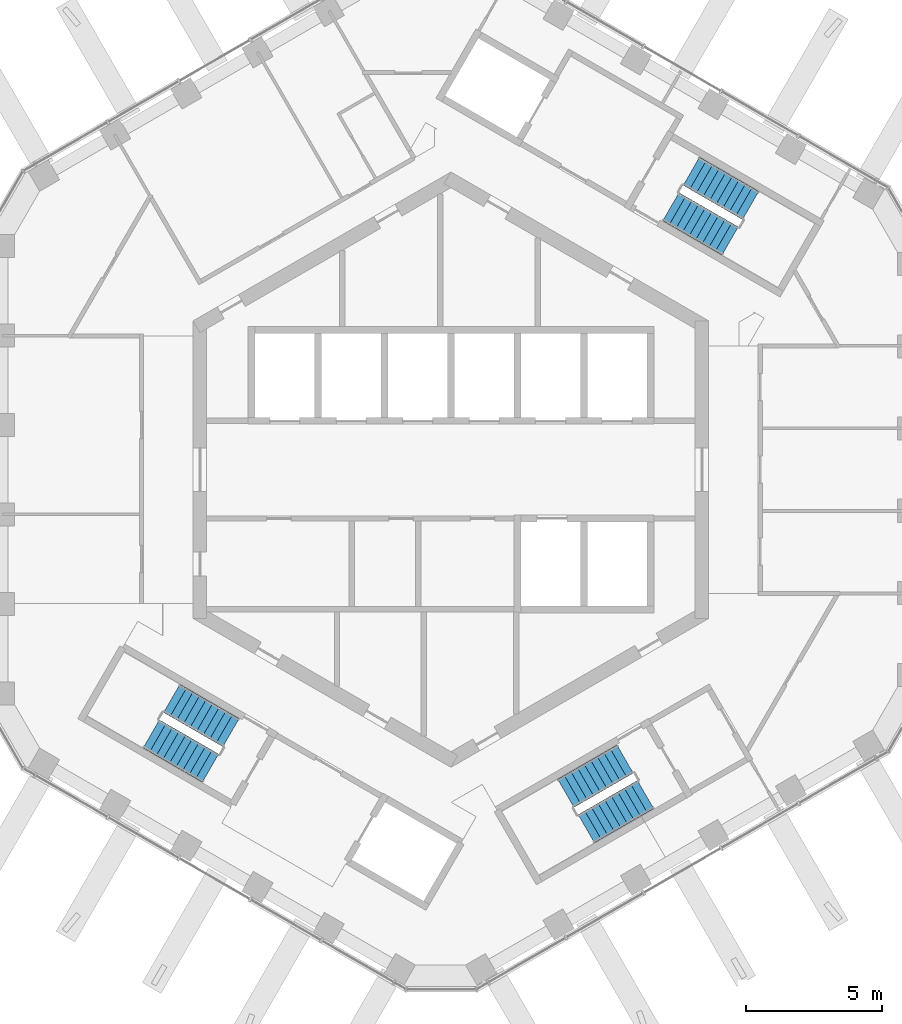
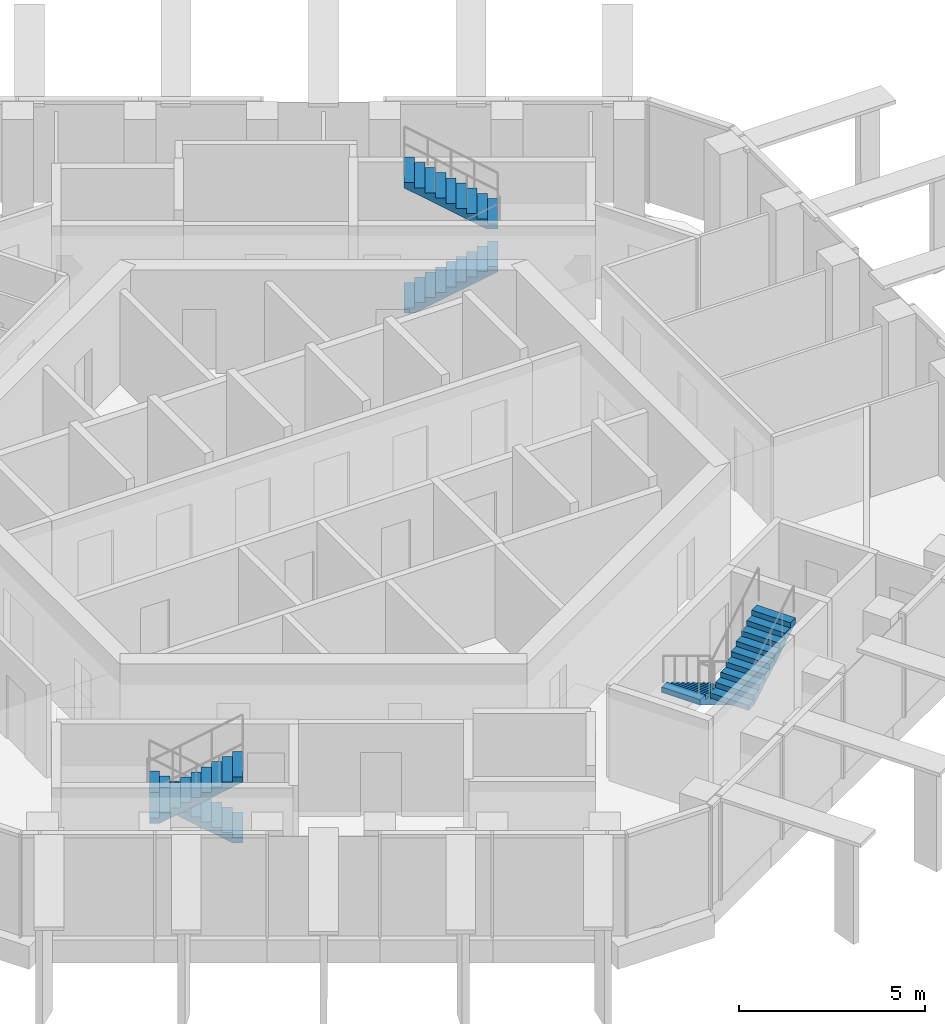
# One storey, part 15 of 18: 6 stair flights, 3 elements without a shape of their own.
"""IFC4 building model written with IfcOpenShell, lengths in metres."""

from ifc_helpers import new_model, si_unit, direction, frame, origin, place, context, subcontext, project, spatial, triangles, material, type_object, element, aggregate, save


model = new_model("IFC4")

# Units and contexts
model_context = context("Model", 3, precision=1e-05, world=origin(), true_north=direction((0.0, 1.0)))
body_context = subcontext(model_context, "Body", "Model", "MODEL_VIEW")
ifc_project = project(units=[si_unit("LENGTHUNIT", "METRE"), si_unit("AREAUNIT", "SQUARE_METRE"), si_unit("VOLUMEUNIT", "CUBIC_METRE"), si_unit("PLANEANGLEUNIT", "RADIAN"), si_unit("MASSUNIT", "GRAM", prefix="KILO")], contexts=[model_context])

# Site, building, storey
site_placement = place(None, origin())
site = spatial("IfcSite", under=ifc_project, at=site_placement, CompositionType="ELEMENT")
building_placement = place(site_placement, origin())
building = spatial("IfcBuilding", under=site, at=building_placement, Name="Ayvan Gate Tower", CompositionType="ELEMENT")
storey_placement = place(building_placement, frame((0.0, 0.0, 239.300048828125)))
storey = spatial("IfcBuildingStorey", under=building, at=storey_placement, Name="L64", CompositionType="ELEMENT", Elevation=239.300048828125)

# Stair, stair flights
ifc_material = material(Name="Concrete C40/50", Category="concrete")
stair_type = type_object("IfcStairType", Name="ST-EXIT", PredefinedType="HALF_TURN_STAIR", material=ifc_material)
stair_1_placement = place(storey_placement, origin())
stair_1 = element("IfcStair", 1, at=stair_1_placement, inside=storey, type_object=stair_type, Name="L64 Exit Stair S1", PredefinedType="HALF_TURN_STAIR")
stair_flight_type = type_object("IfcStairFlightType", Name="SFL-EXIT", PredefinedType="STRAIGHT", material=ifc_material)
stair_flight_1_placement = place(storey_placement, frame((8.106201171875, 9.690185546875, 0.0), z_axis=(0.0, 0.0, 1.0), x_axis=(0.866025403784, -0.5, 0.0)))
stair_flight_1 = element("IfcStairFlight", 2, at=stair_flight_1_placement, type_object=stair_flight_type, Name="STS1 flight 1", NumberOfRisers=10, NumberOfTreads=9, PredefinedType="STRAIGHT", RiserHeight=0.17, TreadLength=0.28, context=body_context, shape_type="Tessellation", body=[
    triangles([(0.288841, -0.599976, 0.0), (2.5205, -0.599976, 1.354936), (2.5205, -0.599976, 1.53), (2.24, -0.599976, 1.53), (2.24, -0.599976, 1.36), (1.96, -0.599976, 1.36), (1.96, -0.599976, 1.19), (1.68, -0.599976, 1.19), (1.68, -0.599976, 1.02), (1.4, -0.599976, 1.02), (1.4, -0.599976, 0.85), (1.12, -0.599976, 0.85), (1.12, -0.599976, 0.68), (0.84, -0.599976, 0.68), (0.84, -0.599976, 0.51), (0.56, -0.599976, 0.51), (0.56, -0.599976, 0.34), (0.28, -0.599976, 0.34), (0.28, -0.599976, 0.17), (-0.0005, -0.599976, 0.17), (-0.0005, -0.599976, 0.0), (0.288841, 0.0, 0.0), (2.5205, 0.0, 1.354936), (2.5205, 0.0, 1.53), (2.24, 0.0, 1.53), (2.24, 0.0, 1.36), (1.96, 0.0, 1.36), (1.96, 0.0, 1.19), (1.68, 0.0, 1.19), (1.68, 0.0, 1.02), (1.4, 0.0, 1.02), (1.4, 0.0, 0.85), (1.12, 0.0, 0.85), (1.12, 0.0, 0.68), (0.84, 0.0, 0.68), (0.84, 0.0, 0.51), (0.56, 0.0, 0.51), (0.56, 0.0, 0.34), (0.28, 0.0, 0.34), (0.28, 0.0, 0.17), (-0.0005, 0.0, 0.17), (-0.0005, 0.0, 0.0), (0.288841, 0.599976, 0.0), (2.5205, 0.599976, 1.354936), (2.5205, 0.599976, 1.53), (2.24, 0.599976, 1.53), (2.24, 0.599976, 1.36), (1.96, 0.599976, 1.36), (1.96, 0.599976, 1.19), (1.68, 0.599976, 1.19), (1.68, 0.599976, 1.02), (1.4, 0.599976, 1.02), (1.4, 0.599976, 0.85), (1.12, 0.599976, 0.85), (1.12, 0.599976, 0.68), (0.84, 0.599976, 0.68), (0.84, 0.599976, 0.51), (0.56, 0.599976, 0.51), (0.56, 0.599976, 0.34), (0.28, 0.599976, 0.34), (0.28, 0.599976, 0.17), (-0.0005, 0.599976, 0.17), (-0.0005, 0.599976, 0.0)], [[21, 1, 2], [63, 44, 43], [2, 3, 4], [44, 46, 45], [2, 4, 5], [44, 47, 46], [2, 5, 6], [44, 48, 47], [2, 6, 7], [44, 49, 48], [7, 8, 9], [49, 51, 50], [2, 7, 9], [44, 51, 49], [9, 10, 11], [51, 53, 52], [2, 9, 11], [44, 53, 51], [11, 12, 13], [53, 55, 54], [2, 11, 13], [44, 55, 53], [13, 14, 15], [55, 57, 56], [2, 13, 15], [44, 57, 55], [15, 16, 17], [57, 59, 58], [2, 15, 17], [44, 59, 57], [17, 18, 19], [59, 61, 60], [2, 17, 19], [44, 61, 59], [21, 2, 19], [63, 61, 44], [19, 20, 21], [61, 63, 62], [1, 22, 23], [1, 23, 2], [43, 23, 22], [43, 44, 23], [2, 23, 24], [2, 24, 3], [44, 24, 23], [44, 45, 24], [3, 24, 25], [3, 25, 4], [45, 25, 24], [45, 46, 25], [4, 25, 26], [4, 26, 5], [46, 26, 25], [46, 47, 26], [5, 26, 27], [5, 27, 6], [47, 27, 26], [47, 48, 27], [6, 27, 28], [6, 28, 7], [48, 28, 27], [48, 49, 28], [7, 28, 29], [7, 29, 8], [49, 29, 28], [49, 50, 29], [8, 29, 30], [8, 30, 9], [50, 30, 29], [50, 51, 30], [9, 30, 31], [9, 31, 10], [51, 31, 30], [51, 52, 31], [10, 31, 32], [10, 32, 11], [52, 32, 31], [52, 53, 32], [11, 32, 33], [11, 33, 12], [53, 33, 32], [53, 54, 33], [12, 33, 34], [12, 34, 13], [54, 34, 33], [54, 55, 34], [13, 34, 35], [13, 35, 14], [55, 35, 34], [55, 56, 35], [14, 35, 36], [14, 36, 15], [56, 36, 35], [56, 57, 36], [15, 36, 37], [15, 37, 16], [57, 37, 36], [57, 58, 37], [16, 37, 38], [16, 38, 17], [58, 38, 37], [58, 59, 38], [17, 38, 39], [17, 39, 18], [59, 39, 38], [59, 60, 39], [18, 39, 40], [18, 40, 19], [60, 40, 39], [60, 61, 40], [19, 40, 41], [19, 41, 20], [61, 41, 40], [61, 62, 41], [20, 41, 42], [20, 42, 21], [62, 42, 41], [62, 63, 42], [21, 42, 22], [21, 22, 1], [63, 22, 42], [63, 43, 22]], closed=True),
])
stair_flight_2_placement = place(storey_placement, frame((11.04345703125, 9.73779296875, 1.699951171875), z_axis=(0.0, 0.0, 1.0), x_axis=(-0.866025403784, 0.5, 0.0)))
stair_flight_2 = element("IfcStairFlight", 3, at=stair_flight_2_placement, type_object=stair_flight_type, Name="STS1 flight 2", NumberOfRisers=10, NumberOfTreads=9, PredefinedType="STRAIGHT", RiserHeight=0.17, TreadLength=0.28, context=body_context, shape_type="Tessellation", body=[
    triangles([(0.288841, -0.599976, 0.0), (2.5205, -0.599976, 1.354936), (2.5205, -0.599976, 1.53), (2.24, -0.599976, 1.53), (2.24, -0.599976, 1.36), (1.96, -0.599976, 1.36), (1.96, -0.599976, 1.19), (1.68, -0.599976, 1.19), (1.68, -0.599976, 1.02), (1.4, -0.599976, 1.02), (1.4, -0.599976, 0.85), (1.12, -0.599976, 0.85), (1.12, -0.599976, 0.68), (0.84, -0.599976, 0.68), (0.84, -0.599976, 0.51), (0.56, -0.599976, 0.51), (0.56, -0.599976, 0.34), (0.28, -0.599976, 0.34), (0.28, -0.599976, 0.17), (-0.0005, -0.599976, 0.17), (-0.0005, -0.599976, 0.0), (0.288841, 0.0, 0.0), (2.5205, 0.0, 1.354936), (2.5205, 0.0, 1.53), (2.24, 0.0, 1.53), (2.24, 0.0, 1.36), (1.96, 0.0, 1.36), (1.96, 0.0, 1.19), (1.68, 0.0, 1.19), (1.68, 0.0, 1.02), (1.4, 0.0, 1.02), (1.4, 0.0, 0.85), (1.12, 0.0, 0.85), (1.12, 0.0, 0.68), (0.84, 0.0, 0.68), (0.84, 0.0, 0.51), (0.56, 0.0, 0.51), (0.56, 0.0, 0.34), (0.28, 0.0, 0.34), (0.28, 0.0, 0.17), (-0.0005, 0.0, 0.17), (-0.0005, 0.0, 0.0), (0.288841, 0.599976, 0.0), (2.5205, 0.599976, 1.354936), (2.5205, 0.599976, 1.53), (2.24, 0.599976, 1.53), (2.24, 0.599976, 1.36), (1.96, 0.599976, 1.36), (1.96, 0.599976, 1.19), (1.68, 0.599976, 1.19), (1.68, 0.599976, 1.02), (1.4, 0.599976, 1.02), (1.4, 0.599976, 0.85), (1.12, 0.599976, 0.85), (1.12, 0.599976, 0.68), (0.84, 0.599976, 0.68), (0.84, 0.599976, 0.51), (0.56, 0.599976, 0.51), (0.56, 0.599976, 0.34), (0.28, 0.599976, 0.34), (0.28, 0.599976, 0.17), (-0.0005, 0.599976, 0.17), (-0.0005, 0.599976, 0.0)], [[21, 1, 2], [63, 44, 43], [2, 3, 4], [44, 46, 45], [2, 4, 5], [44, 47, 46], [2, 5, 6], [44, 48, 47], [2, 6, 7], [44, 49, 48], [7, 8, 9], [49, 51, 50], [2, 7, 9], [44, 51, 49], [9, 10, 11], [51, 53, 52], [2, 9, 11], [44, 53, 51], [11, 12, 13], [53, 55, 54], [2, 11, 13], [44, 55, 53], [13, 14, 15], [55, 57, 56], [2, 13, 15], [44, 57, 55], [15, 16, 17], [57, 59, 58], [2, 15, 17], [44, 59, 57], [17, 18, 19], [59, 61, 60], [2, 17, 19], [44, 61, 59], [21, 2, 19], [63, 61, 44], [19, 20, 21], [61, 63, 62], [1, 22, 23], [1, 23, 2], [43, 23, 22], [43, 44, 23], [2, 23, 24], [2, 24, 3], [44, 24, 23], [44, 45, 24], [3, 24, 25], [3, 25, 4], [45, 25, 24], [45, 46, 25], [4, 25, 26], [4, 26, 5], [46, 26, 25], [46, 47, 26], [5, 26, 27], [5, 27, 6], [47, 27, 26], [47, 48, 27], [6, 27, 28], [6, 28, 7], [48, 28, 27], [48, 49, 28], [7, 28, 29], [7, 29, 8], [49, 29, 28], [49, 50, 29], [8, 29, 30], [8, 30, 9], [50, 30, 29], [50, 51, 30], [9, 30, 31], [9, 31, 10], [51, 31, 30], [51, 52, 31], [10, 31, 32], [10, 32, 11], [52, 32, 31], [52, 53, 32], [11, 32, 33], [11, 33, 12], [53, 33, 32], [53, 54, 33], [12, 33, 34], [12, 34, 13], [54, 34, 33], [54, 55, 34], [13, 34, 35], [13, 35, 14], [55, 35, 34], [55, 56, 35], [14, 35, 36], [14, 36, 15], [56, 36, 35], [56, 57, 36], [15, 36, 37], [15, 37, 16], [57, 37, 36], [57, 58, 37], [16, 37, 38], [16, 38, 17], [58, 38, 37], [58, 59, 38], [17, 38, 39], [17, 39, 18], [59, 39, 38], [59, 60, 39], [18, 39, 40], [18, 40, 19], [60, 40, 39], [60, 61, 40], [19, 40, 41], [19, 41, 20], [61, 41, 40], [61, 62, 41], [20, 41, 42], [20, 42, 21], [62, 42, 41], [62, 63, 42], [21, 42, 22], [21, 22, 1], [63, 22, 42], [63, 43, 22]], closed=True),
])
aggregate(stair_1, [stair_flight_1, stair_flight_2])

stair_2_placement = place(storey_placement, origin())
stair_2 = element("IfcStair", 4, at=stair_2_placement, inside=storey, type_object=stair_type, Name="L64 Exit Stair S2", PredefinedType="HALF_TURN_STAIR")
stair_flight_3_placement = place(storey_placement, frame((-8.106201171875, -9.690185546875, 0.0), z_axis=(0.0, 0.0, 1.0), x_axis=(-0.866025403784, 0.5, 0.0)))
stair_flight_3 = element("IfcStairFlight", 5, at=stair_flight_3_placement, type_object=stair_flight_type, Name="STS2 flight 1", NumberOfRisers=10, NumberOfTreads=9, PredefinedType="STRAIGHT", RiserHeight=0.17, TreadLength=0.28, context=body_context, shape_type="Tessellation", body=[
    triangles([(0.288841, -0.599976, 0.0), (2.5205, -0.599976, 1.354936), (2.5205, -0.599976, 1.53), (2.24, -0.599976, 1.53), (2.24, -0.599976, 1.36), (1.96, -0.599976, 1.36), (1.96, -0.599976, 1.19), (1.68, -0.599976, 1.19), (1.68, -0.599976, 1.02), (1.4, -0.599976, 1.02), (1.4, -0.599976, 0.85), (1.12, -0.599976, 0.85), (1.12, -0.599976, 0.68), (0.84, -0.599976, 0.68), (0.84, -0.599976, 0.51), (0.56, -0.599976, 0.51), (0.56, -0.599976, 0.34), (0.28, -0.599976, 0.34), (0.28, -0.599976, 0.17), (-0.0005, -0.599976, 0.17), (-0.0005, -0.599976, 0.0), (0.288841, 0.0, 0.0), (2.5205, 0.0, 1.354936), (2.5205, 0.0, 1.53), (2.24, 0.0, 1.53), (2.24, 0.0, 1.36), (1.96, 0.0, 1.36), (1.96, 0.0, 1.19), (1.68, 0.0, 1.19), (1.68, 0.0, 1.02), (1.4, 0.0, 1.02), (1.4, 0.0, 0.85), (1.12, 0.0, 0.85), (1.12, 0.0, 0.68), (0.84, 0.0, 0.68), (0.84, 0.0, 0.51), (0.56, 0.0, 0.51), (0.56, 0.0, 0.34), (0.28, 0.0, 0.34), (0.28, 0.0, 0.17), (-0.0005, 0.0, 0.17), (-0.0005, 0.0, 0.0), (0.288841, 0.599976, 0.0), (2.5205, 0.599976, 1.354936), (2.5205, 0.599976, 1.53), (2.24, 0.599976, 1.53), (2.24, 0.599976, 1.36), (1.96, 0.599976, 1.36), (1.96, 0.599976, 1.19), (1.68, 0.599976, 1.19), (1.68, 0.599976, 1.02), (1.4, 0.599976, 1.02), (1.4, 0.599976, 0.85), (1.12, 0.599976, 0.85), (1.12, 0.599976, 0.68), (0.84, 0.599976, 0.68), (0.84, 0.599976, 0.51), (0.56, 0.599976, 0.51), (0.56, 0.599976, 0.34), (0.28, 0.599976, 0.34), (0.28, 0.599976, 0.17), (-0.0005, 0.599976, 0.17), (-0.0005, 0.599976, 0.0)], [[21, 1, 2], [63, 44, 43], [2, 3, 4], [44, 46, 45], [2, 4, 5], [44, 47, 46], [2, 5, 6], [44, 48, 47], [2, 6, 7], [44, 49, 48], [7, 8, 9], [49, 51, 50], [2, 7, 9], [44, 51, 49], [9, 10, 11], [51, 53, 52], [2, 9, 11], [44, 53, 51], [11, 12, 13], [53, 55, 54], [2, 11, 13], [44, 55, 53], [13, 14, 15], [55, 57, 56], [2, 13, 15], [44, 57, 55], [15, 16, 17], [57, 59, 58], [2, 15, 17], [44, 59, 57], [17, 18, 19], [59, 61, 60], [2, 17, 19], [44, 61, 59], [21, 2, 19], [63, 61, 44], [19, 20, 21], [61, 63, 62], [1, 22, 23], [1, 23, 2], [43, 23, 22], [43, 44, 23], [2, 23, 24], [2, 24, 3], [44, 24, 23], [44, 45, 24], [3, 24, 25], [3, 25, 4], [45, 25, 24], [45, 46, 25], [4, 25, 26], [4, 26, 5], [46, 26, 25], [46, 47, 26], [5, 26, 27], [5, 27, 6], [47, 27, 26], [47, 48, 27], [6, 27, 28], [6, 28, 7], [48, 28, 27], [48, 49, 28], [7, 28, 29], [7, 29, 8], [49, 29, 28], [49, 50, 29], [8, 29, 30], [8, 30, 9], [50, 30, 29], [50, 51, 30], [9, 30, 31], [9, 31, 10], [51, 31, 30], [51, 52, 31], [10, 31, 32], [10, 32, 11], [52, 32, 31], [52, 53, 32], [11, 32, 33], [11, 33, 12], [53, 33, 32], [53, 54, 33], [12, 33, 34], [12, 34, 13], [54, 34, 33], [54, 55, 34], [13, 34, 35], [13, 35, 14], [55, 35, 34], [55, 56, 35], [14, 35, 36], [14, 36, 15], [56, 36, 35], [56, 57, 36], [15, 36, 37], [15, 37, 16], [57, 37, 36], [57, 58, 37], [16, 37, 38], [16, 38, 17], [58, 38, 37], [58, 59, 38], [17, 38, 39], [17, 39, 18], [59, 39, 38], [59, 60, 39], [18, 39, 40], [18, 40, 19], [60, 40, 39], [60, 61, 40], [19, 40, 41], [19, 41, 20], [61, 41, 40], [61, 62, 41], [20, 41, 42], [20, 42, 21], [62, 42, 41], [62, 63, 42], [21, 42, 22], [21, 22, 1], [63, 22, 42], [63, 43, 22]], closed=True),
])
stair_flight_4_placement = place(storey_placement, frame((-11.04345703125, -9.73779296875, 1.699951171875), z_axis=(0.0, 0.0, 1.0), x_axis=(0.866025403784, -0.5, 0.0)))
stair_flight_4 = element("IfcStairFlight", 6, at=stair_flight_4_placement, type_object=stair_flight_type, Name="STS2 flight 2", NumberOfRisers=10, NumberOfTreads=9, PredefinedType="STRAIGHT", RiserHeight=0.17, TreadLength=0.28, context=body_context, shape_type="Tessellation", body=[
    triangles([(0.288841, -0.599976, 0.0), (2.5205, -0.599976, 1.354936), (2.5205, -0.599976, 1.53), (2.24, -0.599976, 1.53), (2.24, -0.599976, 1.36), (1.96, -0.599976, 1.36), (1.96, -0.599976, 1.19), (1.68, -0.599976, 1.19), (1.68, -0.599976, 1.02), (1.4, -0.599976, 1.02), (1.4, -0.599976, 0.85), (1.12, -0.599976, 0.85), (1.12, -0.599976, 0.68), (0.84, -0.599976, 0.68), (0.84, -0.599976, 0.51), (0.56, -0.599976, 0.51), (0.56, -0.599976, 0.34), (0.28, -0.599976, 0.34), (0.28, -0.599976, 0.17), (-0.0005, -0.599976, 0.17), (-0.0005, -0.599976, 0.0), (0.288841, 0.0, 0.0), (2.5205, 0.0, 1.354936), (2.5205, 0.0, 1.53), (2.24, 0.0, 1.53), (2.24, 0.0, 1.36), (1.96, 0.0, 1.36), (1.96, 0.0, 1.19), (1.68, 0.0, 1.19), (1.68, 0.0, 1.02), (1.4, 0.0, 1.02), (1.4, 0.0, 0.85), (1.12, 0.0, 0.85), (1.12, 0.0, 0.68), (0.84, 0.0, 0.68), (0.84, 0.0, 0.51), (0.56, 0.0, 0.51), (0.56, 0.0, 0.34), (0.28, 0.0, 0.34), (0.28, 0.0, 0.17), (-0.0005, 0.0, 0.17), (-0.0005, 0.0, 0.0), (0.288841, 0.599976, 0.0), (2.5205, 0.599976, 1.354936), (2.5205, 0.599976, 1.53), (2.24, 0.599976, 1.53), (2.24, 0.599976, 1.36), (1.96, 0.599976, 1.36), (1.96, 0.599976, 1.19), (1.68, 0.599976, 1.19), (1.68, 0.599976, 1.02), (1.4, 0.599976, 1.02), (1.4, 0.599976, 0.85), (1.12, 0.599976, 0.85), (1.12, 0.599976, 0.68), (0.84, 0.599976, 0.68), (0.84, 0.599976, 0.51), (0.56, 0.599976, 0.51), (0.56, 0.599976, 0.34), (0.28, 0.599976, 0.34), (0.28, 0.599976, 0.17), (-0.0005, 0.599976, 0.17), (-0.0005, 0.599976, 0.0)], [[21, 1, 2], [63, 44, 43], [2, 3, 4], [44, 46, 45], [2, 4, 5], [44, 47, 46], [2, 5, 6], [44, 48, 47], [2, 6, 7], [44, 49, 48], [7, 8, 9], [49, 51, 50], [2, 7, 9], [44, 51, 49], [9, 10, 11], [51, 53, 52], [2, 9, 11], [44, 53, 51], [11, 12, 13], [53, 55, 54], [2, 11, 13], [44, 55, 53], [13, 14, 15], [55, 57, 56], [2, 13, 15], [44, 57, 55], [15, 16, 17], [57, 59, 58], [2, 15, 17], [44, 59, 57], [17, 18, 19], [59, 61, 60], [2, 17, 19], [44, 61, 59], [21, 2, 19], [63, 61, 44], [19, 20, 21], [61, 63, 62], [1, 22, 23], [1, 23, 2], [43, 23, 22], [43, 44, 23], [2, 23, 24], [2, 24, 3], [44, 24, 23], [44, 45, 24], [3, 24, 25], [3, 25, 4], [45, 25, 24], [45, 46, 25], [4, 25, 26], [4, 26, 5], [46, 26, 25], [46, 47, 26], [5, 26, 27], [5, 27, 6], [47, 27, 26], [47, 48, 27], [6, 27, 28], [6, 28, 7], [48, 28, 27], [48, 49, 28], [7, 28, 29], [7, 29, 8], [49, 29, 28], [49, 50, 29], [8, 29, 30], [8, 30, 9], [50, 30, 29], [50, 51, 30], [9, 30, 31], [9, 31, 10], [51, 31, 30], [51, 52, 31], [10, 31, 32], [10, 32, 11], [52, 32, 31], [52, 53, 32], [11, 32, 33], [11, 33, 12], [53, 33, 32], [53, 54, 33], [12, 33, 34], [12, 34, 13], [54, 34, 33], [54, 55, 34], [13, 34, 35], [13, 35, 14], [55, 35, 34], [55, 56, 35], [14, 35, 36], [14, 36, 15], [56, 36, 35], [56, 57, 36], [15, 36, 37], [15, 37, 16], [57, 37, 36], [57, 58, 37], [16, 37, 38], [16, 38, 17], [58, 38, 37], [58, 59, 38], [17, 38, 39], [17, 39, 18], [59, 39, 38], [59, 60, 39], [18, 39, 40], [18, 40, 19], [60, 40, 39], [60, 61, 40], [19, 40, 41], [19, 41, 20], [61, 41, 40], [61, 62, 41], [20, 41, 42], [20, 42, 21], [62, 42, 41], [62, 63, 42], [21, 42, 22], [21, 22, 1], [63, 22, 42], [63, 43, 22]], closed=True),
])
aggregate(stair_2, [stair_flight_3, stair_flight_4])

stair_3_placement = place(storey_placement, origin())
stair_3 = element("IfcStair", 7, at=stair_3_placement, inside=storey, type_object=stair_type, Name="L64 Exit Stair S3", PredefinedType="HALF_TURN_STAIR")
stair_flight_5_placement = place(storey_placement, frame((6.417236328125, -10.665283203125, 0.0), z_axis=(0.0, 0.0, 1.0), x_axis=(-0.866025403784, -0.5, 0.0)))
stair_flight_5 = element("IfcStairFlight", 8, at=stair_flight_5_placement, type_object=stair_flight_type, Name="STS3 flight 1", NumberOfRisers=10, NumberOfTreads=9, PredefinedType="STRAIGHT", RiserHeight=0.17, TreadLength=0.28, context=body_context, shape_type="Tessellation", body=[
    triangles([(0.288841, -0.599976, 0.0), (2.5205, -0.599976, 1.354936), (2.5205, -0.599976, 1.53), (2.24, -0.599976, 1.53), (2.24, -0.599976, 1.36), (1.96, -0.599976, 1.36), (1.96, -0.599976, 1.19), (1.68, -0.599976, 1.19), (1.68, -0.599976, 1.02), (1.4, -0.599976, 1.02), (1.4, -0.599976, 0.85), (1.12, -0.599976, 0.85), (1.12, -0.599976, 0.68), (0.84, -0.599976, 0.68), (0.84, -0.599976, 0.51), (0.56, -0.599976, 0.51), (0.56, -0.599976, 0.34), (0.28, -0.599976, 0.34), (0.28, -0.599976, 0.17), (-0.0005, -0.599976, 0.17), (-0.0005, -0.599976, 0.0), (0.288841, 0.0, 0.0), (2.5205, 0.0, 1.354936), (2.5205, 0.0, 1.53), (2.24, 0.0, 1.53), (2.24, 0.0, 1.36), (1.96, 0.0, 1.36), (1.96, 0.0, 1.19), (1.68, 0.0, 1.19), (1.68, 0.0, 1.02), (1.4, 0.0, 1.02), (1.4, 0.0, 0.85), (1.12, 0.0, 0.85), (1.12, 0.0, 0.68), (0.84, 0.0, 0.68), (0.84, 0.0, 0.51), (0.56, 0.0, 0.51), (0.56, 0.0, 0.34), (0.28, 0.0, 0.34), (0.28, 0.0, 0.17), (-0.0005, 0.0, 0.17), (-0.0005, 0.0, 0.0), (0.288841, 0.599976, 0.0), (2.5205, 0.599976, 1.354936), (2.5205, 0.599976, 1.53), (2.24, 0.599976, 1.53), (2.24, 0.599976, 1.36), (1.96, 0.599976, 1.36), (1.96, 0.599976, 1.19), (1.68, 0.599976, 1.19), (1.68, 0.599976, 1.02), (1.4, 0.599976, 1.02), (1.4, 0.599976, 0.85), (1.12, 0.599976, 0.85), (1.12, 0.599976, 0.68), (0.84, 0.599976, 0.68), (0.84, 0.599976, 0.51), (0.56, 0.599976, 0.51), (0.56, 0.599976, 0.34), (0.28, 0.599976, 0.34), (0.28, 0.599976, 0.17), (-0.0005, 0.599976, 0.17), (-0.0005, 0.599976, 0.0)], [[21, 1, 2], [63, 44, 43], [2, 3, 4], [44, 46, 45], [2, 4, 5], [44, 47, 46], [2, 5, 6], [44, 48, 47], [2, 6, 7], [44, 49, 48], [7, 8, 9], [49, 51, 50], [2, 7, 9], [44, 51, 49], [9, 10, 11], [51, 53, 52], [2, 9, 11], [44, 53, 51], [11, 12, 13], [53, 55, 54], [2, 11, 13], [44, 55, 53], [13, 14, 15], [55, 57, 56], [2, 13, 15], [44, 57, 55], [15, 16, 17], [57, 59, 58], [2, 15, 17], [44, 59, 57], [17, 18, 19], [59, 61, 60], [2, 17, 19], [44, 61, 59], [21, 2, 19], [63, 61, 44], [19, 20, 21], [61, 63, 62], [1, 22, 23], [1, 23, 2], [43, 23, 22], [43, 44, 23], [2, 23, 24], [2, 24, 3], [44, 24, 23], [44, 45, 24], [3, 24, 25], [3, 25, 4], [45, 25, 24], [45, 46, 25], [4, 25, 26], [4, 26, 5], [46, 26, 25], [46, 47, 26], [5, 26, 27], [5, 27, 6], [47, 27, 26], [47, 48, 27], [6, 27, 28], [6, 28, 7], [48, 28, 27], [48, 49, 28], [7, 28, 29], [7, 29, 8], [49, 29, 28], [49, 50, 29], [8, 29, 30], [8, 30, 9], [50, 30, 29], [50, 51, 30], [9, 30, 31], [9, 31, 10], [51, 31, 30], [51, 52, 31], [10, 31, 32], [10, 32, 11], [52, 32, 31], [52, 53, 32], [11, 32, 33], [11, 33, 12], [53, 33, 32], [53, 54, 33], [12, 33, 34], [12, 34, 13], [54, 34, 33], [54, 55, 34], [13, 34, 35], [13, 35, 14], [55, 35, 34], [55, 56, 35], [14, 35, 36], [14, 36, 15], [56, 36, 35], [56, 57, 36], [15, 36, 37], [15, 37, 16], [57, 37, 36], [57, 58, 37], [16, 37, 38], [16, 38, 17], [58, 38, 37], [58, 59, 38], [17, 38, 39], [17, 39, 18], [59, 39, 38], [59, 60, 39], [18, 39, 40], [18, 40, 19], [60, 40, 39], [60, 61, 40], [19, 40, 41], [19, 41, 20], [61, 41, 40], [61, 62, 41], [20, 41, 42], [20, 42, 21], [62, 42, 41], [62, 63, 42], [21, 42, 22], [21, 22, 1], [63, 22, 42], [63, 43, 22]], closed=True),
])
stair_flight_6_placement = place(storey_placement, frame((4.989990234375, -13.23291015625, 1.699951171875), z_axis=(0.0, 0.0, 1.0), x_axis=(0.866025403784, 0.5, 0.0)))
stair_flight_6 = element("IfcStairFlight", 9, at=stair_flight_6_placement, type_object=stair_flight_type, Name="STS3 flight 2", NumberOfRisers=10, NumberOfTreads=9, PredefinedType="STRAIGHT", RiserHeight=0.17, TreadLength=0.28, context=body_context, shape_type="Tessellation", body=[
    triangles([(0.288841, -0.599976, 0.0), (2.5205, -0.599976, 1.354936), (2.5205, -0.599976, 1.53), (2.24, -0.599976, 1.53), (2.24, -0.599976, 1.36), (1.96, -0.599976, 1.36), (1.96, -0.599976, 1.19), (1.68, -0.599976, 1.19), (1.68, -0.599976, 1.02), (1.4, -0.599976, 1.02), (1.4, -0.599976, 0.85), (1.12, -0.599976, 0.85), (1.12, -0.599976, 0.68), (0.84, -0.599976, 0.68), (0.84, -0.599976, 0.51), (0.56, -0.599976, 0.51), (0.56, -0.599976, 0.34), (0.28, -0.599976, 0.34), (0.28, -0.599976, 0.17), (-0.0005, -0.599976, 0.17), (-0.0005, -0.599976, 0.0), (0.288841, 0.0, 0.0), (2.5205, 0.0, 1.354936), (2.5205, 0.0, 1.53), (2.24, 0.0, 1.53), (2.24, 0.0, 1.36), (1.96, 0.0, 1.36), (1.96, 0.0, 1.19), (1.68, 0.0, 1.19), (1.68, 0.0, 1.02), (1.4, 0.0, 1.02), (1.4, 0.0, 0.85), (1.12, 0.0, 0.85), (1.12, 0.0, 0.68), (0.84, 0.0, 0.68), (0.84, 0.0, 0.51), (0.56, 0.0, 0.51), (0.56, 0.0, 0.34), (0.28, 0.0, 0.34), (0.28, 0.0, 0.17), (-0.0005, 0.0, 0.17), (-0.0005, 0.0, 0.0), (0.288841, 0.599976, 0.0), (2.5205, 0.599976, 1.354936), (2.5205, 0.599976, 1.53), (2.24, 0.599976, 1.53), (2.24, 0.599976, 1.36), (1.96, 0.599976, 1.36), (1.96, 0.599976, 1.19), (1.68, 0.599976, 1.19), (1.68, 0.599976, 1.02), (1.4, 0.599976, 1.02), (1.4, 0.599976, 0.85), (1.12, 0.599976, 0.85), (1.12, 0.599976, 0.68), (0.84, 0.599976, 0.68), (0.84, 0.599976, 0.51), (0.56, 0.599976, 0.51), (0.56, 0.599976, 0.34), (0.28, 0.599976, 0.34), (0.28, 0.599976, 0.17), (-0.0005, 0.599976, 0.17), (-0.0005, 0.599976, 0.0)], [[21, 1, 2], [63, 44, 43], [2, 3, 4], [44, 46, 45], [2, 4, 5], [44, 47, 46], [2, 5, 6], [44, 48, 47], [2, 6, 7], [44, 49, 48], [7, 8, 9], [49, 51, 50], [2, 7, 9], [44, 51, 49], [9, 10, 11], [51, 53, 52], [2, 9, 11], [44, 53, 51], [11, 12, 13], [53, 55, 54], [2, 11, 13], [44, 55, 53], [13, 14, 15], [55, 57, 56], [2, 13, 15], [44, 57, 55], [15, 16, 17], [57, 59, 58], [2, 15, 17], [44, 59, 57], [17, 18, 19], [59, 61, 60], [2, 17, 19], [44, 61, 59], [21, 2, 19], [63, 61, 44], [19, 20, 21], [61, 63, 62], [1, 22, 23], [1, 23, 2], [43, 23, 22], [43, 44, 23], [2, 23, 24], [2, 24, 3], [44, 24, 23], [44, 45, 24], [3, 24, 25], [3, 25, 4], [45, 25, 24], [45, 46, 25], [4, 25, 26], [4, 26, 5], [46, 26, 25], [46, 47, 26], [5, 26, 27], [5, 27, 6], [47, 27, 26], [47, 48, 27], [6, 27, 28], [6, 28, 7], [48, 28, 27], [48, 49, 28], [7, 28, 29], [7, 29, 8], [49, 29, 28], [49, 50, 29], [8, 29, 30], [8, 30, 9], [50, 30, 29], [50, 51, 30], [9, 30, 31], [9, 31, 10], [51, 31, 30], [51, 52, 31], [10, 31, 32], [10, 32, 11], [52, 32, 31], [52, 53, 32], [11, 32, 33], [11, 33, 12], [53, 33, 32], [53, 54, 33], [12, 33, 34], [12, 34, 13], [54, 34, 33], [54, 55, 34], [13, 34, 35], [13, 35, 14], [55, 35, 34], [55, 56, 35], [14, 35, 36], [14, 36, 15], [56, 36, 35], [56, 57, 36], [15, 36, 37], [15, 37, 16], [57, 37, 36], [57, 58, 37], [16, 37, 38], [16, 38, 17], [58, 38, 37], [58, 59, 38], [17, 38, 39], [17, 39, 18], [59, 39, 38], [59, 60, 39], [18, 39, 40], [18, 40, 19], [60, 40, 39], [60, 61, 40], [19, 40, 41], [19, 41, 20], [61, 41, 40], [61, 62, 41], [20, 41, 42], [20, 42, 21], [62, 42, 41], [62, 63, 42], [21, 42, 22], [21, 22, 1], [63, 22, 42], [63, 43, 22]], closed=True),
])
aggregate(stair_3, [stair_flight_5, stair_flight_6])

save(model, "model.ifc")
